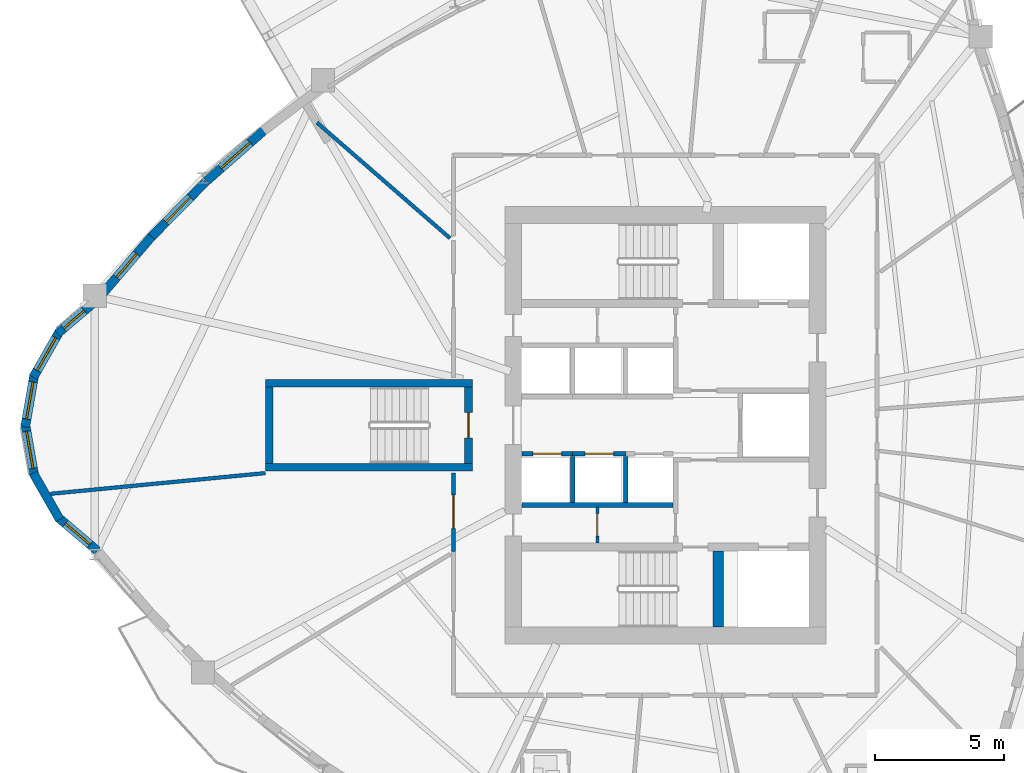
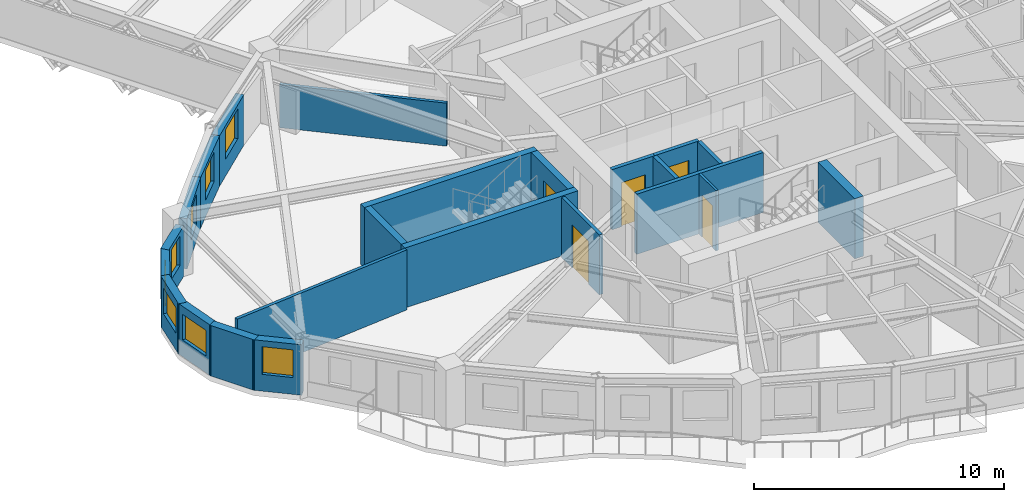
# One storey, part 6 of 14: 23 walls, 8 windows, 5 doors, 13 openings.
"""IFC4 building model written with IfcOpenShell, lengths in metres."""

from ifc_helpers import new_model, si_unit, direction, frame, frame_2d, origin, place, context, subcontext, project, spatial, rectangle, extrude, source, transform, mapped, material, layer, layer_set, type_object, element, fill, save


model = new_model("IFC4")

# Units and contexts
model_context = context("Model", 3, precision=1e-05, world=origin(), true_north=direction((0.0, 1.0)))
body_context = subcontext(model_context, "Body", "Model", "MODEL_VIEW")
ifc_project = project(units=[si_unit("LENGTHUNIT", "METRE"), si_unit("AREAUNIT", "SQUARE_METRE"), si_unit("VOLUMEUNIT", "CUBIC_METRE"), si_unit("PLANEANGLEUNIT", "RADIAN"), si_unit("MASSUNIT", "GRAM", prefix="KILO")], contexts=[model_context])

# Site, building, storey
site_placement = place(None, origin())
site = spatial("IfcSite", under=ifc_project, at=site_placement, CompositionType="ELEMENT")
building_placement = place(site_placement, origin())
building = spatial("IfcBuilding", under=site, at=building_placement, Name="Qafzar Sky-Pleat Residences", CompositionType="ELEMENT")
storey_placement = place(building_placement, frame((0.0, 0.0, 83.199951171875)))
storey = spatial("IfcBuildingStorey", under=building, at=storey_placement, Name="L24", CompositionType="ELEMENT", Elevation=83.199951171875)

# Wall, opening, door
ifc_material_1 = material(Name="Acoustic gypsum plasterboard partition", Category="gypsum")
ifc_layer_1 = layer(ifc_material_1, 0.159912109375)
ifc_layer_set_1 = layer_set([ifc_layer_1], Name="Acoustic gypsum plasterboard partition")
wall_type_1 = type_object("IfcWallType", Name="PART-COR-160", PredefinedType="PARTITIONING", material=ifc_layer_set_1)
wall_1_placement = place(storey_placement, frame((22.169921875, 21.1279296875, 0.0), z_axis=(0.0, 0.0, 1.0), x_axis=(0.0, 1.0, 0.0)))
wall_1 = element("IfcWall", 1, at=wall_1_placement, inside=storey, type_object=wall_type_1, Name="L24 Partition Wall PART-L24-PW-012", PredefinedType="PARTITIONING", context=body_context, shape_type="SweptSolid", body=[
    extrude(rectangle(XDim=3.02197265625, YDim=0.159912109375, at=frame_2d((1.510986328125, 0.0))), origin(), (0.0, 0.0, 1.0), 2.93505859375),
])
opening_1_placement = place(wall_1_placement, frame((0.882568359375, 0.0, 0.0)))
opening_1 = element("IfcOpeningElement", 2, at=opening_1_placement, cuts=wall_1, Name="Opening ID-05", PredefinedType="OPENING", context=body_context, shape_type="SweptSolid", body=[
    extrude(rectangle(XDim=1.300048828125, YDim=2.10009765625, at=frame_2d((0.64990234375, 1.050048828125))), frame((0.0, 0.08984375, 0.0), z_axis=(0.0, -1.0, 0.0), x_axis=(1.0, 0.0, 0.0)), (0.0, 0.0, 1.0), 0.179931640625),
])
ifc_material_2 = material(Name="Timber-faced fire door", Category="wood")
door_type_1 = type_object("IfcDoorType", Name="DR-LNG-1300", OperationType="DOUBLE_DOOR_SINGLE_SWING", PredefinedType="DOOR", material=ifc_material_2)
shared_shape_1 = source(origin(), body_context, "Body", "SweptSolid", [
    extrude(rectangle(XDim=1.300048828125, YDim=2.10009765625, at=frame_2d((0.64990234375, 1.050048828125))), frame((0.0, 0.02490234375, 0.0), z_axis=(0.0, -1.0, 0.0), x_axis=(1.0, 0.0, 0.0)), (0.0, 0.0, 1.0), 0.050048828125),
])
door_1_placement = place(opening_1_placement, origin())
door_1 = element("IfcDoor", 3, at=door_1_placement, inside=storey, type_object=door_type_1, Name="L24 Tutorial Huddle Room Door", OperationType="DOUBLE_DOOR_SINGLE_SWING", OverallHeight=2.10009765625, OverallWidth=1.300048828125, PredefinedType="DOOR", context=body_context, shape_type="MappedRepresentation", body=[
    mapped(shared_shape_1, transform((0.0, 0.0, 0.0), x_axis=(1.0, 0.0, 0.0), y_axis=(0.0, 1.0, 0.0), z_axis=(0.0, 0.0, 1.0), scale=1.0)),
])
fill(opening_1, door_1)

# Wall
ifc_material_3 = material(Name="Concrete blockwork partition", Category="masonry")
ifc_layer_2 = layer(ifc_material_3, 0.179931640625)
ifc_layer_set_2 = layer_set([ifc_layer_2], Name="Concrete blockwork partition")
wall_type_2 = type_object("IfcWallType", Name="PART-SHAFT-180", PredefinedType="PARTITIONING", material=ifc_layer_set_2)
wall_2_placement = place(storey_placement, frame((24.81005859375, 22.919921875, 0.0), z_axis=(0.0, 0.0, 1.0), x_axis=(1.0, 0.0, 0.0)))
element("IfcWall", 4, at=wall_2_placement, inside=storey, type_object=wall_type_2, Name="L24 Partition Wall PART-L24-P13-S", PredefinedType="PARTITIONING", context=body_context, shape_type="SweptSolid", body=[
    extrude(rectangle(XDim=5.83984375, YDim=0.179931640625, at=frame_2d((2.919921875, 0.0))), origin(), (0.0, 0.0, 1.0), 2.93505859375),
])

# Wall, opening, door
wall_3_placement = place(storey_placement, frame((24.81005859375, 24.89990234375, 0.0), z_axis=(0.0, 0.0, 1.0), x_axis=(1.0, 0.0, 0.0)))
wall_3 = element("IfcWall", 5, at=wall_3_placement, inside=storey, type_object=wall_type_2, Name="L24 Partition Wall PART-L24-P1-N", PredefinedType="PARTITIONING", context=body_context, shape_type="SweptSolid", body=[
    extrude(rectangle(XDim=1.96484375, YDim=0.179931640625, at=frame_2d((0.982421875, 0.0))), origin(), (0.0, 0.0, 1.0), 2.93505859375),
])
opening_2_placement = place(wall_3_placement, frame((0.4326171875, 0.0, 0.0)))
opening_2 = element("IfcOpeningElement", 6, at=opening_2_placement, cuts=wall_3, Name="Opening LD-01", PredefinedType="OPENING", context=body_context, shape_type="SweptSolid", body=[
    extrude(rectangle(XDim=1.10009765625, YDim=2.14990234375, at=frame_2d((0.550048828125, 1.074951171875))), frame((0.0, 0.10009765625, 0.0), z_axis=(0.0, -1.0, 0.0), x_axis=(1.0, 0.0, 0.0)), (0.0, 0.0, 1.0), 0.199951171875),
])
ifc_material_4 = material(Name="Stainless steel sliding landing door", Category="steel")
door_type_2 = type_object("IfcDoorType", Name="DR-LIFT-P", OperationType="DOUBLE_DOOR_SLIDING", PredefinedType="DOOR", material=ifc_material_4)
shared_shape_2 = source(origin(), body_context, "Body", "SweptSolid", [
    extrude(rectangle(XDim=1.10009765625, YDim=2.14990234375, at=frame_2d((0.550048828125, 1.074951171875))), frame((0.0, 0.02490234375, 0.0), z_axis=(0.0, -1.0, 0.0), x_axis=(1.0, 0.0, 0.0)), (0.0, 0.0, 1.0), 0.050048828125),
])
door_2_placement = place(opening_2_placement, origin())
door_2 = element("IfcDoor", 7, at=door_2_placement, inside=storey, type_object=door_type_2, Name="L24 Passenger Lift P1 Landing Door", OperationType="DOUBLE_DOOR_SLIDING", OverallHeight=2.14990234375, OverallWidth=1.10009765625, PredefinedType="DOOR", context=body_context, shape_type="MappedRepresentation", body=[
    mapped(shared_shape_2, transform((0.0, 0.0, 0.0), x_axis=(1.0, 0.0, 0.0), y_axis=(0.0, 1.0, 0.0), z_axis=(0.0, 0.0, 1.0), scale=1.0)),
])
fill(opening_2, door_2)

wall_4_placement = place(storey_placement, frame((26.77490234375, 24.89990234375, 0.0), z_axis=(0.0, 0.0, 1.0), x_axis=(1.0, 0.0, 0.0)))
wall_4 = element("IfcWall", 8, at=wall_4_placement, inside=storey, type_object=wall_type_2, Name="L24 Partition Wall PART-L24-P2-N", PredefinedType="PARTITIONING", context=body_context, shape_type="SweptSolid", body=[
    extrude(rectangle(XDim=2.050048828125, YDim=0.179931640625, at=frame_2d((1.02490234375, 0.0))), origin(), (0.0, 0.0, 1.0), 2.93505859375),
])
opening_3_placement = place(wall_4_placement, frame((0.47509765625, 0.0, 0.0)))
opening_3 = element("IfcOpeningElement", 9, at=opening_3_placement, cuts=wall_4, Name="Opening LD-01", PredefinedType="OPENING", context=body_context, shape_type="SweptSolid", body=[
    extrude(rectangle(XDim=1.10009765625, YDim=2.14990234375, at=frame_2d((0.550048828125, 1.074951171875))), frame((0.0, 0.10009765625, 0.0), z_axis=(0.0, -1.0, 0.0), x_axis=(1.0, 0.0, 0.0)), (0.0, 0.0, 1.0), 0.199951171875),
])
door_3_placement = place(opening_3_placement, origin())
door_3 = element("IfcDoor", 10, at=door_3_placement, inside=storey, type_object=door_type_2, Name="L24 Passenger Lift P2 Landing Door", OperationType="DOUBLE_DOOR_SLIDING", OverallHeight=2.14990234375, OverallWidth=1.10009765625, PredefinedType="DOOR", context=body_context, shape_type="MappedRepresentation", body=[
    mapped(shared_shape_2, transform((0.0, 0.0, 0.0), x_axis=(1.0, 0.0, 0.0), y_axis=(0.0, 1.0, 0.0), z_axis=(0.0, 0.0, 1.0), scale=1.0)),
])
fill(opening_3, door_3)

# Walls
for number, where, z_axis, x_axis, name in (
    (11, (26.77490234375, 23.02001953125, 0.0), (0.0, 0.0, 1.0), (0.0, 1.0, 0.0), "L24 Partition Wall PART-L24-P13-DIV-1"),
    (12, (28.824951171875, 23.02001953125, 0.0), (0.0, 0.0, 1.0), (0.0, 1.0, 0.0), "L24 Partition Wall PART-L24-P13-DIV-2"),
):
    element("IfcWall", number, at=place(storey_placement, frame(where, z_axis=z_axis, x_axis=x_axis)), inside=storey, type_object=wall_type_2, Name=name, PredefinedType="PARTITIONING", context=body_context, shape_type="SweptSolid", body=[
        extrude(rectangle(XDim=1.780029296875, YDim=0.179931640625, at=frame_2d((0.89013671875, 0.0))), origin(), (0.0, 0.0, 1.0), 2.93505859375),
    ])

# Wall, opening, door
ifc_material_5 = material(Name="Gypsum plasterboard partition", Category="gypsum")
ifc_layer_3 = layer(ifc_material_5, 0.114990234375)
ifc_layer_set_3 = layer_set([ifc_layer_3], Name="Gypsum plasterboard partition")
wall_type_3 = type_object("IfcWallType", Name="PART-SVC-115", PredefinedType="PARTITIONING", material=ifc_layer_set_3)
wall_5_placement = place(storey_placement, frame((27.72509765625, 21.4599609375, 0.0), z_axis=(0.0, 0.0, 1.0), x_axis=(0.0, 1.0, 0.0)))
wall_5 = element("IfcWall", 13, at=wall_5_placement, inside=storey, type_object=wall_type_3, Name="L24 Partition Wall PART-L24-KB-SW", PredefinedType="PARTITIONING", context=body_context, shape_type="SweptSolid", body=[
    extrude(rectangle(XDim=1.380126953125, YDim=0.114990234375, at=frame_2d((0.68994140625, 0.0))), origin(), (0.0, 0.0, 1.0), 2.93505859375),
])
opening_4_placement = place(wall_5_placement, frame((0.260009765625, 0.0, 0.0)))
opening_4 = element("IfcOpeningElement", 14, at=opening_4_placement, cuts=wall_5, Name="Opening ID-09", PredefinedType="OPENING", context=body_context, shape_type="SweptSolid", body=[
    extrude(rectangle(XDim=0.860107421875, YDim=2.050048828125, at=frame_2d((0.43017578125, 1.02490234375))), frame((0.0, 0.0673828125, 0.0), z_axis=(0.0, -1.0, 0.0), x_axis=(1.0, 0.0, 0.0)), (0.0, 0.0, 1.0), 0.135009765625),
])
door_type_3 = type_object("IfcDoorType", Name="DR-SVC-860", OperationType="NOTDEFINED", PredefinedType="DOOR", material=ifc_material_2)
shared_shape_3 = source(origin(), body_context, "Body", "SweptSolid", [
    extrude(rectangle(XDim=0.860107421875, YDim=2.050048828125, at=frame_2d((0.43017578125, 1.02490234375))), frame((0.0, 0.02490234375, 0.0), z_axis=(0.0, -1.0, 0.0), x_axis=(1.0, 0.0, 0.0)), (0.0, 0.0, 1.0), 0.050048828125),
])
door_4_placement = place(opening_4_placement, origin())
door_4 = element("IfcDoor", 15, at=door_4_placement, inside=storey, type_object=door_type_3, Name="L24 BMS Metering Cupboard Door", OperationType="SINGLE_SWING_RIGHT", OverallHeight=2.050048828125, OverallWidth=0.860107421875, PredefinedType="DOOR", context=body_context, shape_type="MappedRepresentation", body=[
    mapped(shared_shape_3, transform((0.0, 0.0, 0.0), x_axis=(1.0, 0.0, 0.0), y_axis=(0.0, 1.0, 0.0), z_axis=(0.0, 0.0, 1.0), scale=1.0)),
])
fill(opening_4, door_4)

# Walls
ifc_layer_4 = layer(ifc_material_1, 0.14501953125)
ifc_layer_set_4 = layer_set([ifc_layer_4], Name="Acoustic gypsum plasterboard partition")
wall_type_4 = type_object("IfcWallType", Name="PART-UNIT-145", PredefinedType="PARTITIONING", material=ifc_layer_set_4)
wall_6_placement = place(storey_placement, frame((6.605224609375, 23.3505859375, 0.0), z_axis=(0.0, 0.0, 1.0), x_axis=(0.995388985265, 0.09592063393, 0.0)))
element("IfcWall", 16, at=wall_6_placement, inside=storey, type_object=wall_type_4, Name="L24 Partition Wall PART-L24-PW-027", PredefinedType="PARTITIONING", context=body_context, shape_type="SweptSolid", body=[
    extrude(rectangle(XDim=8.3330078125, YDim=0.14501953125, at=frame_2d((4.16650390625, 0.0))), origin(), (0.0, 0.0, 1.0), 2.93505859375),
])
wall_7_placement = place(storey_placement, frame((16.894775390625, 37.689697265625, 0.0), z_axis=(0.0, 0.0, 1.0), x_axis=(0.754854710059, -0.655892038907, 0.0)))
element("IfcWall", 17, at=wall_7_placement, inside=storey, type_object=wall_type_4, Name="L24 Partition Wall PART-L24-PW-029", PredefinedType="PARTITIONING", context=body_context, shape_type="SweptSolid", body=[
    extrude(rectangle(XDim=6.811279296875, YDim=0.14501953125, at=frame_2d((3.40576171875, 0.0))), origin(), (0.0, 0.0, 1.0), 2.10302734375),
])

# Wall, opening, window
ifc_material_6 = material(Name="Precast concrete C40/50 with honed Riyadh limestone", Category="concrete")
ifc_layer_5 = layer(ifc_material_6, 0.35009765625)
ifc_layer_set_5 = layer_set([ifc_layer_5], Name="Precast concrete C40/50 with honed Riyadh limestone")
wall_type_5 = type_object("IfcWallType", Name="WALL-EXT-350", PredefinedType="SOLIDWALL", material=ifc_layer_set_5)
wall_8_placement = place(storey_placement, frame((8.252685546875, 30.71728515625, 0.0), z_axis=(0.0, 0.0, 1.0), x_axis=(-0.761176639947, -0.648544618973, 0.0)))
wall_8 = element("IfcWall", 18, at=wall_8_placement, inside=storey, type_object=wall_type_5, Name="L24 Limestone Facade Wall 1", PredefinedType="SOLIDWALL", context=body_context, shape_type="SweptSolid", body=[
    extrude(rectangle(XDim=1.81005859375, YDim=0.35009765625, at=frame_2d((0.905029296875, 0.0))), origin(), (0.0, 0.0, 1.0), 2.465087890625),
])
opening_5_placement = place(wall_8_placement, frame((0.455078125, 0.0, 0.820068359375)))
opening_5 = element("IfcOpeningElement", 19, at=opening_5_placement, cuts=wall_8, Name="Opening WN-06", PredefinedType="OPENING", context=body_context, shape_type="SweptSolid", body=[
    extrude(rectangle(XDim=1.050048828125, YDim=1.449951171875, at=frame_2d((0.52490234375, 0.72509765625))), frame((0.0, 0.18505859375, 0.0), z_axis=(0.0, -1.0, 0.0), x_axis=(1.0, 0.0, 0.0)), (0.0, 0.0, 1.0), 0.3701171875),
])
ifc_material_7 = material(Name="Solar-control low-E glass in bronze aluminium frame", Category="glass")
window_type_1 = type_object("IfcWindowType", Name="WIN-06", PartitioningType="SINGLE_PANEL", PredefinedType="WINDOW", material=ifc_material_7)
shared_shape_4 = source(origin(), body_context, "Body", "SweptSolid", [
    extrude(rectangle(XDim=1.050048828125, YDim=1.449951171875, at=frame_2d((0.52490234375, 0.72509765625))), frame((0.0, 0.030029296875, 0.0), z_axis=(0.0, -1.0, 0.0), x_axis=(1.0, 0.0, 0.0)), (0.0, 0.0, 1.0), 0.06005859375),
])
window_1_placement = place(opening_5_placement, origin())
window_1 = element("IfcWindow", 20, at=window_1_placement, inside=storey, type_object=window_type_1, Name="L24 Punched Facade Window 01", OverallHeight=1.449951171875, OverallWidth=1.050048828125, PartitioningType="SINGLE_PANEL", PredefinedType="WINDOW", context=body_context, shape_type="MappedRepresentation", body=[
    mapped(shared_shape_4, transform((0.0, 0.0, 0.0), x_axis=(1.0, 0.0, 0.0), y_axis=(0.0, 1.0, 0.0), z_axis=(0.0, 0.0, 1.0), scale=1.0)),
])
fill(opening_5, window_1)

wall_9_placement = place(storey_placement, frame((6.961181640625, 29.6474609375, 0.0), z_axis=(0.0, 0.0, 1.0), x_axis=(-0.496037473582, -0.868301114132, 0.0)))
wall_9 = element("IfcWall", 21, at=wall_9_placement, inside=storey, type_object=wall_type_5, Name="L24 Limestone Facade Wall 2", PredefinedType="SOLIDWALL", context=body_context, shape_type="SweptSolid", body=[
    extrude(rectangle(XDim=2.072998046875, YDim=0.35009765625, at=frame_2d((1.03662109375, 0.0))), origin(), (0.0, 0.0, 1.0), 2.465087890625),
])
opening_6_placement = place(wall_9_placement, frame((0.3115234375, 0.0, 0.820068359375)))
opening_6 = element("IfcOpeningElement", 22, at=opening_6_placement, cuts=wall_9, Name="Opening WN-15", PredefinedType="OPENING", context=body_context, shape_type="SweptSolid", body=[
    extrude(rectangle(XDim=1.449951171875, YDim=1.25, at=frame_2d((0.72509765625, 0.625))), frame((0.0, 0.18505859375, 0.0), z_axis=(0.0, -1.0, 0.0), x_axis=(1.0, 0.0, 0.0)), (0.0, 0.0, 1.0), 0.3701171875),
])
window_type_2 = type_object("IfcWindowType", Name="WIN-15", PartitioningType="SINGLE_PANEL", PredefinedType="WINDOW", material=ifc_material_7)
shared_shape_5 = source(origin(), body_context, "Body", "SweptSolid", [
    extrude(rectangle(XDim=1.449951171875, YDim=1.25, at=frame_2d((0.72509765625, 0.625))), frame((0.0, 0.030029296875, 0.0), z_axis=(0.0, -1.0, 0.0), x_axis=(1.0, 0.0, 0.0)), (0.0, 0.0, 1.0), 0.06005859375),
])
window_2_placement = place(opening_6_placement, origin())
window_2 = element("IfcWindow", 23, at=window_2_placement, inside=storey, type_object=window_type_2, Name="L24 Punched Facade Window 02", OverallHeight=1.25, OverallWidth=1.449951171875, PartitioningType="SINGLE_PANEL", PredefinedType="WINDOW", context=body_context, shape_type="MappedRepresentation", body=[
    mapped(shared_shape_5, transform((0.0, 0.0, 0.0), x_axis=(1.0, 0.0, 0.0), y_axis=(0.0, 1.0, 0.0), z_axis=(0.0, 0.0, 1.0), scale=1.0)),
])
fill(opening_6, window_2)

wall_10_placement = place(storey_placement, frame((5.978515625, 27.974609375, 0.0), z_axis=(0.0, 0.0, 1.0), x_axis=(-0.172166087538, -0.985067935881, 0.0)))
wall_10 = element("IfcWall", 24, at=wall_10_placement, inside=storey, type_object=wall_type_5, Name="L24 Limestone Facade Wall 3", PredefinedType="SOLIDWALL", context=body_context, shape_type="SweptSolid", body=[
    extrude(rectangle(XDim=2.0732421875, YDim=0.35009765625, at=frame_2d((1.03662109375, 0.0))), origin(), (0.0, 0.0, 1.0), 2.465087890625),
])
opening_7_placement = place(wall_10_placement, frame((0.3115234375, 0.0, 0.820068359375)))
opening_7 = element("IfcOpeningElement", 25, at=opening_7_placement, cuts=wall_10, Name="Opening WN-15", PredefinedType="OPENING", context=body_context, shape_type="SweptSolid", body=[
    extrude(rectangle(XDim=1.449951171875, YDim=1.25, at=frame_2d((0.72509765625, 0.625))), frame((0.0, 0.18505859375, 0.0), z_axis=(0.0, -1.0, 0.0), x_axis=(1.0, 0.0, 0.0)), (0.0, 0.0, 1.0), 0.3701171875),
])
window_3_placement = place(opening_7_placement, origin())
window_3 = element("IfcWindow", 26, at=window_3_placement, inside=storey, type_object=window_type_2, Name="L24 Punched Facade Window 03", OverallHeight=1.25, OverallWidth=1.449951171875, PartitioningType="SINGLE_PANEL", PredefinedType="WINDOW", context=body_context, shape_type="MappedRepresentation", body=[
    mapped(shared_shape_5, transform((0.0, 0.0, 0.0), x_axis=(1.0, 0.0, 0.0), y_axis=(0.0, 1.0, 0.0), z_axis=(0.0, 0.0, 1.0), scale=1.0)),
])
fill(opening_7, window_3)

wall_11_placement = place(storey_placement, frame((5.62158203125, 26.067626953125, 0.0), z_axis=(0.0, 0.0, 1.0), x_axis=(0.172166087538, -0.985067935881, 0.0)))
wall_11 = element("IfcWall", 27, at=wall_11_placement, inside=storey, type_object=wall_type_5, Name="L24 Limestone Facade Wall 4", PredefinedType="SOLIDWALL", context=body_context, shape_type="SweptSolid", body=[
    extrude(rectangle(XDim=2.0732421875, YDim=0.35009765625, at=frame_2d((1.03662109375, 0.0))), origin(), (0.0, 0.0, 1.0), 2.465087890625),
])
opening_8_placement = place(wall_11_placement, frame((0.3115234375, 0.0, 0.820068359375)))
opening_8 = element("IfcOpeningElement", 28, at=opening_8_placement, cuts=wall_11, Name="Opening WN-15", PredefinedType="OPENING", context=body_context, shape_type="SweptSolid", body=[
    extrude(rectangle(XDim=1.449951171875, YDim=1.25, at=frame_2d((0.72509765625, 0.625))), frame((0.0, 0.18505859375, 0.0), z_axis=(0.0, -1.0, 0.0), x_axis=(1.0, 0.0, 0.0)), (0.0, 0.0, 1.0), 0.3701171875),
])
window_4_placement = place(opening_8_placement, origin())
window_4 = element("IfcWindow", 29, at=window_4_placement, inside=storey, type_object=window_type_2, Name="L24 Punched Facade Window 04", OverallHeight=1.25, OverallWidth=1.449951171875, PartitioningType="SINGLE_PANEL", PredefinedType="WINDOW", context=body_context, shape_type="MappedRepresentation", body=[
    mapped(shared_shape_5, transform((0.0, 0.0, 0.0), x_axis=(1.0, 0.0, 0.0), y_axis=(0.0, 1.0, 0.0), z_axis=(0.0, 0.0, 1.0), scale=1.0)),
])
fill(opening_8, window_4)

# Wall
wall_12_placement = place(storey_placement, frame((5.932861328125, 24.152587890625, 0.0), z_axis=(0.0, 0.0, 1.0), x_axis=(0.496037473582, -0.868301114132, 0.0)))
element("IfcWall", 30, at=wall_12_placement, inside=storey, type_object=wall_type_5, Name="L24 Limestone Facade Wall 5", PredefinedType="SOLIDWALL", context=body_context, shape_type="SweptSolid", body=[
    extrude(rectangle(XDim=2.072998046875, YDim=0.35009765625, at=frame_2d((1.03662109375, 0.0))), origin(), (0.0, 0.0, 1.0), 2.465087890625),
])

# Wall, opening, window
wall_13_placement = place(storey_placement, frame((6.875, 22.45654296875, 0.0), z_axis=(0.0, 0.0, 1.0), x_axis=(0.761203352049, -0.648513266502, 0.0)))
wall_13 = element("IfcWall", 31, at=wall_13_placement, inside=storey, type_object=wall_type_5, Name="L24 Limestone Facade Wall 6", PredefinedType="SOLIDWALL", context=body_context, shape_type="SweptSolid", body=[
    extrude(rectangle(XDim=2.014892578125, YDim=0.35009765625, at=frame_2d((1.00732421875, 0.0))), origin(), (0.0, 0.0, 1.0), 2.465087890625),
])
opening_9_placement = place(wall_13_placement, frame((0.392578125, 0.0, 0.820068359375)))
opening_9 = element("IfcOpeningElement", 32, at=opening_9_placement, cuts=wall_13, Name="Opening WN-11", PredefinedType="OPENING", context=body_context, shape_type="SweptSolid", body=[
    extrude(rectangle(XDim=1.25, YDim=1.35009765625, at=frame_2d((0.625, 0.675048828125))), frame((0.0, 0.18505859375, 0.0), z_axis=(0.0, -1.0, 0.0), x_axis=(1.0, 0.0, 0.0)), (0.0, 0.0, 1.0), 0.3701171875),
])
window_type_3 = type_object("IfcWindowType", Name="WIN-11", PartitioningType="SINGLE_PANEL", PredefinedType="WINDOW", material=ifc_material_7)
shared_shape_6 = source(origin(), body_context, "Body", "SweptSolid", [
    extrude(rectangle(XDim=1.25, YDim=1.35009765625, at=frame_2d((0.625, 0.675048828125))), frame((0.0, 0.030029296875, 0.0), z_axis=(0.0, -1.0, 0.0), x_axis=(1.0, 0.0, 0.0)), (0.0, 0.0, 1.0), 0.06005859375),
])
window_5_placement = place(opening_9_placement, origin())
window_5 = element("IfcWindow", 33, at=window_5_placement, inside=storey, type_object=window_type_3, Name="L24 Punched Facade Window 06", OverallHeight=1.35009765625, OverallWidth=1.25, PartitioningType="SINGLE_PANEL", PredefinedType="WINDOW", context=body_context, shape_type="MappedRepresentation", body=[
    mapped(shared_shape_6, transform((0.0, 0.0, 0.0), x_axis=(1.0, 0.0, 0.0), y_axis=(0.0, 1.0, 0.0), z_axis=(0.0, 0.0, 1.0), scale=1.0)),
])
fill(opening_9, window_5)

wall_14_placement = place(storey_placement, frame((14.89892578125, 37.4287109375, 0.0), z_axis=(0.0, 0.0, 1.0), x_axis=(-0.751526984469, -0.659702350773, 0.0)))
wall_14 = element("IfcWall", 34, at=wall_14_placement, inside=storey, type_object=wall_type_5, Name="L24 Limestone Facade Wall 46", PredefinedType="SOLIDWALL", context=body_context, shape_type="SweptSolid", body=[
    extrude(rectangle(XDim=3.0283203125, YDim=0.35009765625, at=frame_2d((1.51416015625, 0.0))), origin(), (0.0, 0.0, 1.0), 2.465087890625),
])
opening_10_placement = place(wall_14_placement, frame((0.774169921875, 0.0, 0.820068359375)))
opening_10 = element("IfcOpeningElement", 35, at=opening_10_placement, cuts=wall_14, Name="Opening WN-03", PredefinedType="OPENING", context=body_context, shape_type="SweptSolid", body=[
    extrude(rectangle(XDim=1.5, YDim=1.449951171875, at=frame_2d((0.75, 0.72509765625))), frame((0.0, 0.18505859375, 0.0), z_axis=(0.0, -1.0, 0.0), x_axis=(1.0, 0.0, 0.0)), (0.0, 0.0, 1.0), 0.3701171875),
])
window_type_4 = type_object("IfcWindowType", Name="WIN-03", PartitioningType="DOUBLE_PANEL_VERTICAL", PredefinedType="WINDOW", material=ifc_material_7)
shared_shape_7 = source(origin(), body_context, "Body", "SweptSolid", [
    extrude(rectangle(XDim=1.5, YDim=1.449951171875, at=frame_2d((0.75, 0.72509765625))), frame((0.0, 0.030029296875, 0.0), z_axis=(0.0, -1.0, 0.0), x_axis=(1.0, 0.0, 0.0)), (0.0, 0.0, 1.0), 0.06005859375),
])
window_6_placement = place(opening_10_placement, origin())
window_6 = element("IfcWindow", 36, at=window_6_placement, inside=storey, type_object=window_type_4, Name="L24 Punched Facade Window 46", OverallHeight=1.449951171875, OverallWidth=1.5, PartitioningType="SINGLE_PANEL", PredefinedType="WINDOW", context=body_context, shape_type="MappedRepresentation", body=[
    mapped(shared_shape_7, transform((0.0, 0.0, 0.0), x_axis=(1.0, 0.0, 0.0), y_axis=(0.0, 1.0, 0.0), z_axis=(0.0, 0.0, 1.0), scale=1.0)),
])
fill(opening_10, window_6)

wall_15_placement = place(storey_placement, frame((12.603271484375, 35.412109375, 0.0), z_axis=(0.0, 0.0, 1.0), x_axis=(-0.701972782373, -0.71220377197, 0.0)))
wall_15 = element("IfcWall", 37, at=wall_15_placement, inside=storey, type_object=wall_type_5, Name="L24 Limestone Facade Wall 47", PredefinedType="SOLIDWALL", context=body_context, shape_type="SweptSolid", body=[
    extrude(rectangle(XDim=3.078369140625, YDim=0.35009765625, at=frame_2d((1.5390625, 0.0))), origin(), (0.0, 0.0, 1.0), 2.465087890625),
])
opening_11_placement = place(wall_15_placement, frame((0.85400390625, 0.0, 0.820068359375)))
opening_11 = element("IfcOpeningElement", 38, at=opening_11_placement, cuts=wall_15, Name="Opening WN-04", PredefinedType="OPENING", context=body_context, shape_type="SweptSolid", body=[
    extrude(rectangle(XDim=1.35009765625, YDim=1.449951171875, at=frame_2d((0.675048828125, 0.72509765625))), frame((0.0, 0.18505859375, 0.0), z_axis=(0.0, -1.0, 0.0), x_axis=(1.0, 0.0, 0.0)), (0.0, 0.0, 1.0), 0.3701171875),
])
window_type_5 = type_object("IfcWindowType", Name="WIN-04", PartitioningType="SINGLE_PANEL", PredefinedType="WINDOW", material=ifc_material_7)
shared_shape_8 = source(origin(), body_context, "Body", "SweptSolid", [
    extrude(rectangle(XDim=1.35009765625, YDim=1.449951171875, at=frame_2d((0.675048828125, 0.72509765625))), frame((0.0, 0.030029296875, 0.0), z_axis=(0.0, -1.0, 0.0), x_axis=(1.0, 0.0, 0.0)), (0.0, 0.0, 1.0), 0.06005859375),
])
window_7_placement = place(opening_11_placement, origin())
window_7 = element("IfcWindow", 39, at=window_7_placement, inside=storey, type_object=window_type_5, Name="L24 Punched Facade Window 47", OverallHeight=1.449951171875, OverallWidth=1.35009765625, PartitioningType="SINGLE_PANEL", PredefinedType="WINDOW", context=body_context, shape_type="MappedRepresentation", body=[
    mapped(shared_shape_8, transform((0.0, 0.0, 0.0), x_axis=(1.0, 0.0, 0.0), y_axis=(0.0, 1.0, 0.0), z_axis=(0.0, 0.0, 1.0), scale=1.0)),
])
fill(opening_11, window_7)

wall_16_placement = place(storey_placement, frame((10.501953125, 33.28466796875, 0.0), z_axis=(0.0, 0.0, 1.0), x_axis=(-0.650770847407, -0.75927419564, 0.0)))
wall_16 = element("IfcWall", 40, at=wall_16_placement, inside=storey, type_object=wall_type_5, Name="L24 Limestone Facade Wall 48", PredefinedType="SOLIDWALL", context=body_context, shape_type="SweptSolid", body=[
    extrude(rectangle(XDim=2.9384765625, YDim=0.35009765625, at=frame_2d((1.46923828125, 0.0))), origin(), (0.0, 0.0, 1.0), 2.465087890625),
])
opening_12_placement = place(wall_16_placement, frame((0.874267578125, 0.0, 0.820068359375)))
opening_12 = element("IfcOpeningElement", 41, at=opening_12_placement, cuts=wall_16, Name="Opening WN-05", PredefinedType="OPENING", context=body_context, shape_type="SweptSolid", body=[
    extrude(rectangle(XDim=1.199951171875, YDim=1.449951171875, at=frame_2d((0.60009765625, 0.72509765625))), frame((0.0, 0.18505859375, 0.0), z_axis=(0.0, -1.0, 0.0), x_axis=(1.0, 0.0, 0.0)), (0.0, 0.0, 1.0), 0.3701171875),
])
window_type_6 = type_object("IfcWindowType", Name="WIN-05", PartitioningType="SINGLE_PANEL", PredefinedType="WINDOW", material=ifc_material_7)
shared_shape_9 = source(origin(), body_context, "Body", "SweptSolid", [
    extrude(rectangle(XDim=1.199951171875, YDim=1.449951171875, at=frame_2d((0.60009765625, 0.72509765625))), frame((0.0, 0.030029296875, 0.0), z_axis=(0.0, -1.0, 0.0), x_axis=(1.0, 0.0, 0.0)), (0.0, 0.0, 1.0), 0.06005859375),
])
window_8_placement = place(opening_12_placement, origin())
window_8 = element("IfcWindow", 42, at=window_8_placement, inside=storey, type_object=window_type_6, Name="L24 Punched Facade Window 48", OverallHeight=1.449951171875, OverallWidth=1.199951171875, PartitioningType="SINGLE_PANEL", PredefinedType="WINDOW", context=body_context, shape_type="MappedRepresentation", body=[
    mapped(shared_shape_9, transform((0.0, 0.0, 0.0), x_axis=(1.0, 0.0, 0.0), y_axis=(0.0, 1.0, 0.0), z_axis=(0.0, 0.0, 1.0), scale=1.0)),
])
fill(opening_12, window_8)

# Walls
ifc_material_8 = material(Name="Concrete C60/75", Category="concrete")
ifc_layer_6 = layer(ifc_material_8, 0.300048828125)
ifc_layer_set_6 = layer_set([ifc_layer_6], Name="Concrete C60/75")
wall_type_6 = type_object("IfcWallType", Name="WALL-SHEAR-300", PredefinedType="SHEAR", material=ifc_layer_set_6)
for number, where, z_axis, x_axis, name in (
    (43, (14.89990234375, 24.375, 0.0), (0.0, 0.0, 1.0), (1.0, 0.0, 0.0), "L24 ST3 wall S"),
    (44, (22.89990234375, 27.625, 0.0), (0.0, 0.0, 1.0), (-1.0, 0.0, 0.0), "L24 ST3 wall N"),
):
    element("IfcWall", number, at=place(storey_placement, frame(where, z_axis=z_axis, x_axis=x_axis)), inside=storey, type_object=wall_type_6, Name=name, PredefinedType="SHEAR", context=body_context, shape_type="SweptSolid", body=[
        extrude(rectangle(XDim=8.0, YDim=0.300048828125, at=frame_2d((4.0, 0.0))), origin(), (0.0, 0.0, 1.0), 2.93505859375),
    ])
wall_17_placement = place(storey_placement, frame((15.050048828125, 27.47509765625, 0.0), z_axis=(0.0, 0.0, 1.0), x_axis=(0.0, -1.0, 0.0)))
element("IfcWall", 45, at=wall_17_placement, inside=storey, type_object=wall_type_6, Name="L24 ST3 wall W", PredefinedType="SHEAR", context=body_context, shape_type="SweptSolid", body=[
    extrude(rectangle(XDim=2.9501953125, YDim=0.300048828125, at=frame_2d((1.47509765625, 0.0))), origin(), (0.0, 0.0, 1.0), 2.93505859375),
])

# Wall, opening, door
wall_18_placement = place(storey_placement, frame((22.75, 24.52490234375, 0.0), z_axis=(0.0, 0.0, 1.0), x_axis=(0.0, 1.0, 0.0)))
wall_18 = element("IfcWall", 46, at=wall_18_placement, inside=storey, type_object=wall_type_6, Name="L24 ST3 wall E", PredefinedType="SHEAR", context=body_context, shape_type="SweptSolid", body=[
    extrude(rectangle(XDim=2.9501953125, YDim=0.300048828125, at=frame_2d((1.47509765625, 0.0))), origin(), (0.0, 0.0, 1.0), 2.93505859375),
])
opening_13_placement = place(wall_18_placement, frame((0.985107421875, 0.0, 0.0)))
opening_13 = element("IfcOpeningElement", 47, at=opening_13_placement, cuts=wall_18, Name="Opening ID-01", PredefinedType="OPENING", context=body_context, shape_type="SweptSolid", body=[
    extrude(rectangle(XDim=0.97998046875, YDim=2.14990234375, at=frame_2d((0.489990234375, 1.074951171875))), frame((0.0, 0.16015625, 0.0), z_axis=(0.0, -1.0, 0.0), x_axis=(1.0, 0.0, 0.0)), (0.0, 0.0, 1.0), 0.320068359375),
])
door_type_4 = type_object("IfcDoorType", Name="DR-STAIR-980", OperationType="NOTDEFINED", PredefinedType="DOOR", material=ifc_material_2)
shared_shape_10 = source(origin(), body_context, "Body", "SweptSolid", [
    extrude(rectangle(XDim=0.97998046875, YDim=2.14990234375, at=frame_2d((0.489990234375, 1.074951171875))), frame((0.0, 0.02490234375, 0.0), z_axis=(0.0, -1.0, 0.0), x_axis=(1.0, 0.0, 0.0)), (0.0, 0.0, 1.0), 0.050048828125),
])
door_5_placement = place(opening_13_placement, origin())
door_5 = element("IfcDoor", 48, at=door_5_placement, inside=storey, type_object=door_type_4, Name="L24 Stair ST3 Fire Door", OperationType="SINGLE_SWING_LEFT", OverallHeight=2.14990234375, OverallWidth=0.97998046875, PredefinedType="DOOR", context=body_context, shape_type="MappedRepresentation", body=[
    mapped(shared_shape_10, transform((0.0, 0.0, 0.0), x_axis=(1.0, 0.0, 0.0), y_axis=(0.0, 1.0, 0.0), z_axis=(0.0, 0.0, 1.0), scale=1.0)),
])
fill(opening_13, door_5)

# Wall
ifc_layer_7 = layer(ifc_material_8, 0.39990234375)
ifc_layer_set_7 = layer_set([ifc_layer_7], Name="Concrete C60/75")
wall_type_7 = type_object("IfcWallType", Name="WALL-SHEAR-400", PredefinedType="SHEAR", material=ifc_layer_set_7)
wall_19_placement = place(storey_placement, frame((32.39990234375, 18.199951171875, 0.0), z_axis=(0.0, 0.0, 1.0), x_axis=(0.0, 1.0, 0.0)))
element("IfcWall", 49, at=wall_19_placement, inside=storey, type_object=wall_type_7, Name="L24 Stair ST1 East Dividing Wall", PredefinedType="SHEAR", context=body_context, shape_type="SweptSolid", body=[
    extrude(rectangle(XDim=2.949951171875, YDim=0.39990234375, at=frame_2d((1.47509765625, 0.0))), origin(), (0.0, 0.0, 1.0), 2.93505859375),
])

save(model, "model.ifc")
